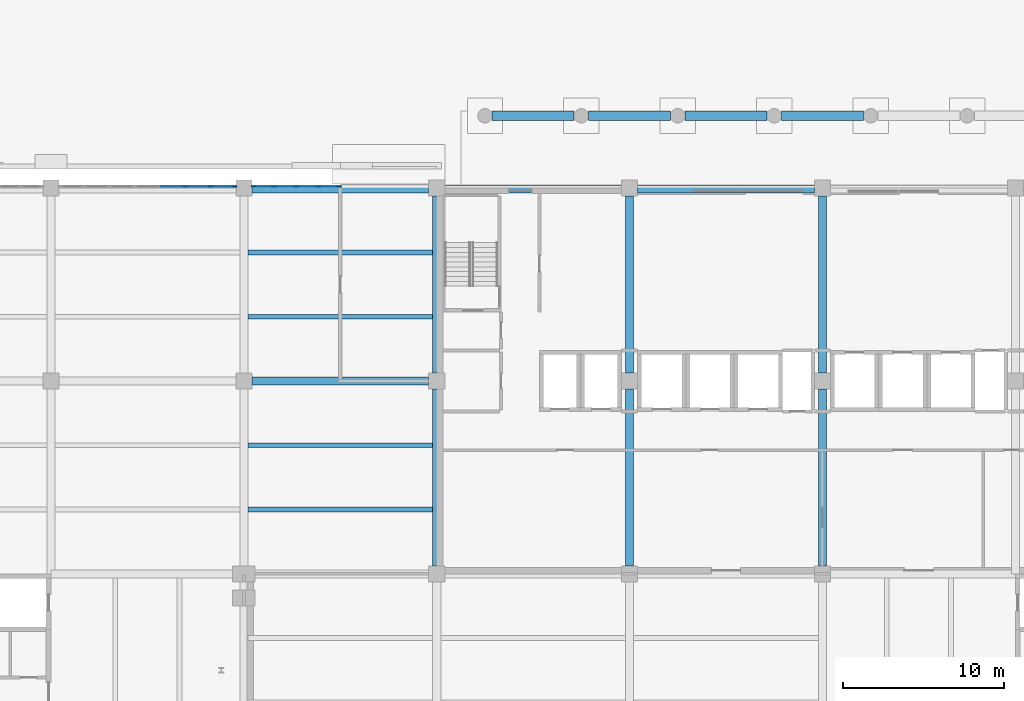
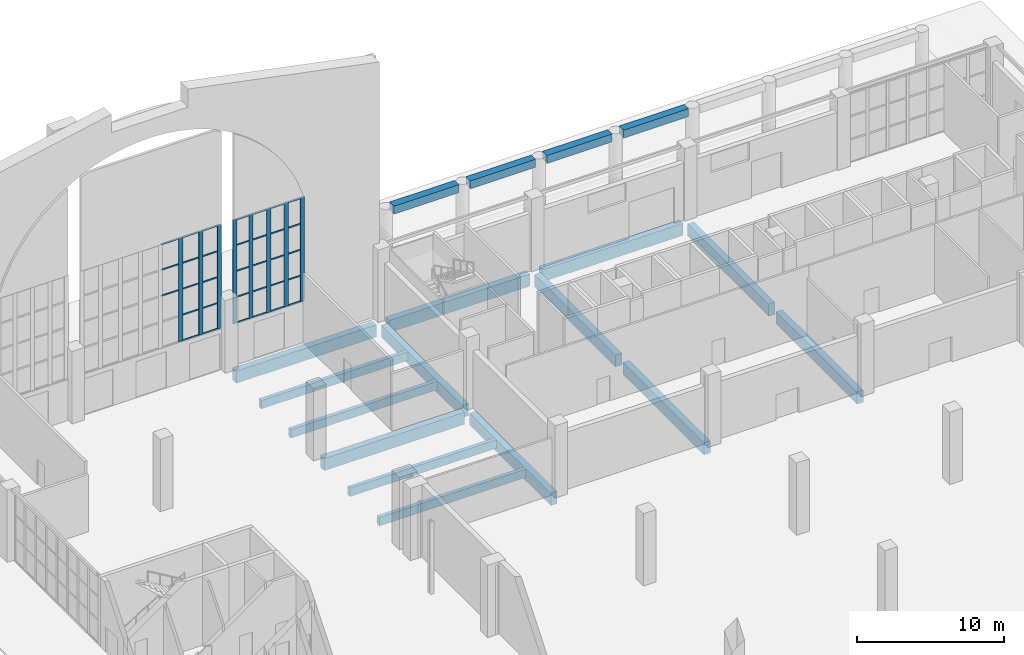
# One storey, part 22 of 59: 41 members, 18 beams, 2 elements without a shape of their own.
"""IFC4 building model written with IfcOpenShell, lengths in metres."""

import ifcopenshell
import ifcopenshell.guid

model = None  # the IFC model being written
_history = None  # IfcOwnerHistory: only IFC2X3 demands one
_inside = {}  # id of a spatial element -> (the spatial element, [elements in it])
_under = {}  # id of a project, library or spatial element -> (it, [spatial elements below it])
_declared = {}  # id of a project -> (the project, [libraries it declares])
_typed = {}  # id of a type object -> (the type object, [elements of that type])
_made_of = {}  # id of a material, layer set ... -> (it, [elements and type objects made of it])


def new_model(schema):
    """Start an empty IFC model of exactly this schema.

    Asked for "IFC4X3", IfcOpenShell would pick the latest addendum, in which some entities
    have other attributes; the version numbers below select the first issue.
    IFC2X3 requires an IfcOwnerHistory on every rooted entity: one is made here for all.
    """
    global model, _history
    if schema == "IFC4X3":
        model = ifcopenshell.file(schema_version=(4, 3, 0, 0))
    else:
        model = ifcopenshell.file(schema=schema)
    _inside.clear()
    _under.clear()
    _declared.clear()
    _typed.clear()
    _made_of.clear()
    _history = None
    if model.schema == "IFC2X3":
        org = make("IfcOrganization", Name="unknown")
        user = make(
            "IfcPersonAndOrganization",
            ThePerson=make("IfcPerson", FamilyName="unknown"),
            TheOrganization=org,
        )
        app = make(
            "IfcApplication",
            ApplicationDeveloper=org,
            Version="unknown",
            ApplicationFullName="unknown",
            ApplicationIdentifier="unknown",
        )
        _history = make(
            "IfcOwnerHistory",
            OwningUser=user,
            OwningApplication=app,
            ChangeAction="ADDED",
            CreationDate=0,
        )
    return model


def make(cls, **values):
    """One entity of the class cls with the attributes given. An attribute that is None is left unset."""
    return model.create_entity(
        cls, **{name: value for name, value in values.items() if value is not None}
    )


def rooted(cls, **values):
    """An entity with a GlobalId (a new one), such as an element, a storey or a relation."""
    return make(cls, GlobalId=ifcopenshell.guid.new(), OwnerHistory=_history, **values)


def si_unit(unit_type, name, prefix=None):
    """IfcSIUnit, for example si_unit("LENGTHUNIT", "METRE", prefix="MILLI")."""
    return make("IfcSIUnit", UnitType=unit_type, Prefix=prefix, Name=name)


def assignment(units):
    """IfcUnitAssignment: the units of a project."""
    return None if units is None else make("IfcUnitAssignment", Units=units)


def point(xyz):
    """IfcCartesianPoint."""
    return None if xyz is None else make("IfcCartesianPoint", Coordinates=xyz)


def direction(xyz):
    """IfcDirection."""
    return None if xyz is None else make("IfcDirection", DirectionRatios=xyz)


def frame(location, z_axis=None, x_axis=None):
    """IfcAxis2Placement3D, a coordinate frame: its origin and axes. An axis left out is left unset."""
    return make(
        "IfcAxis2Placement3D",
        Location=point(location),
        Axis=direction(z_axis),
        RefDirection=direction(x_axis),
    )


def frame_2d(location, x_axis=None):
    """IfcAxis2Placement2D, a coordinate frame in the plane: its origin and x axis."""
    return make(
        "IfcAxis2Placement2D", Location=point(location), RefDirection=direction(x_axis)
    )


def origin():
    """The frame at (0, 0, 0) with its axes left unset."""
    return frame((0.0, 0.0, 0.0))


def origin_2d():
    """The frame at (0, 0) in the plane with its x axis left unset."""
    return frame_2d((0.0, 0.0))


def place(relative_to, where):
    """IfcLocalPlacement: puts the frame where relative to a parent placement (None: the world)."""
    return make(
        "IfcLocalPlacement", PlacementRelTo=relative_to, RelativePlacement=where
    )


def context(
    kind, dimensions, precision=None, world=None, true_north=None, identifier=None
):
    """IfcGeometricRepresentationContext, for example the 3D "Model" context."""
    return make(
        "IfcGeometricRepresentationContext",
        ContextIdentifier=identifier,
        ContextType=kind,
        CoordinateSpaceDimension=dimensions,
        Precision=precision,
        WorldCoordinateSystem=world,
        TrueNorth=true_north,
    )


def subcontext(parent, identifier, kind, view, scale=None):
    """IfcGeometricRepresentationSubContext, for example "Body" below "Model"."""
    return make(
        "IfcGeometricRepresentationSubContext",
        ContextIdentifier=identifier,
        ContextType=kind,
        ParentContext=parent,
        TargetScale=scale,
        TargetView=view,
    )


def project(units=None, contexts=None):
    """IfcProject with its units and contexts."""
    return rooted(
        "IfcProject",
        Name="project",
        RepresentationContexts=contexts,
        UnitsInContext=assignment(units),
    )


def spatial(cls, under=None, at=None, **own):
    """A site, building, storey or space (cls), placed at a placement, below another one or the project."""
    s = rooted(cls, ObjectPlacement=at, **own)
    if under is not None:
        _under.setdefault(under.id(), (under, []))[1].append(s)
    return s


def profile(cls, at=None, kind="AREA", **sizes):
    """A parametric profile (cls). Its sizes go by their IFC names, for example OverallWidth=200.0."""
    return make(cls, ProfileType=kind, Position=at, **sizes)


def rectangle(**sizes):
    """IfcRectangleProfileDef."""
    return profile("IfcRectangleProfileDef", **sizes)


def extrude(swept, where, along, depth):
    """IfcExtrudedAreaSolid: the profile swept, set in the frame where, extruded along a direction by depth."""
    return make(
        "IfcExtrudedAreaSolid",
        SweptArea=swept,
        Position=where,
        ExtrudedDirection=direction(along),
        Depth=depth,
    )


def shape(context_of_items, identifier, shape_type, items):
    """IfcShapeRepresentation: the items that make up one representation, for example the "Body"."""
    return make(
        "IfcShapeRepresentation",
        ContextOfItems=context_of_items,
        RepresentationIdentifier=identifier,
        RepresentationType=shape_type,
        Items=items,
    )


def material(Name=None, Category=None):
    """IfcMaterial."""
    return make("IfcMaterial", Name=Name, Category=Category)


def layer(
    of_material, thickness, ventilated=None, Name=None, Category=None, Priority=None
):
    """IfcMaterialLayer: one layer of a wall or slab, of a material (None: an air gap)."""
    return make(
        "IfcMaterialLayer",
        Material=of_material,
        LayerThickness=thickness,
        IsVentilated=ventilated,
        Name=Name,
        Category=Category,
        Priority=Priority,
    )


def layer_set(layers, Name=None):
    """IfcMaterialLayerSet."""
    return make("IfcMaterialLayerSet", MaterialLayers=layers, LayerSetName=Name)


def material_profile(
    of_material, cross_section, Name=None, Category=None, Priority=None
):
    """IfcMaterialProfile: a cross section and its material."""
    return make(
        "IfcMaterialProfile",
        Name=Name,
        Material=of_material,
        Profile=cross_section,
        Priority=Priority,
        Category=Category,
    )


def profile_set(profiles, Name=None, composite=None):
    """IfcMaterialProfileSet."""
    return make(
        "IfcMaterialProfileSet",
        Name=Name,
        MaterialProfiles=profiles,
        CompositeProfile=composite,
    )


def made_of(thing, what):
    """Note that an element or type object is made of a material, layer set ...; save() writes the relation."""
    if what is not None:
        _made_of.setdefault(what.id(), (what, []))[1].append(thing)
    return thing


def type_object(cls, material=None, **own):
    """A type object (cls), such as IfcWallType, which elements share."""
    return made_of(rooted(cls, **own), material)


def element(
    cls,
    number,
    at=None,
    inside=None,
    cuts=None,
    type_object=None,
    material=None,
    context=None,
    identifier="Body",
    shape_type=None,
    held_by="IfcProductDefinitionShape",
    body=None,
    shapes=None,
    **own,
):
    """One element of the class cls, such as IfcWall. Its Tag is "e" and its number.

    at: its placement. inside: the storey or other place that contains it. cuts: it is an
    opening in that element (IfcRelVoidsElement). A single representation is given by context,
    identifier, shape_type and body (its items); several are given by shapes. held_by: the class
    of the entity that holds the representations. save() writes the other relations.
    """
    e = rooted(cls, Tag="e%d" % number, ObjectPlacement=at, **own)
    if body is not None:
        shapes = [shape(context, identifier, shape_type, body)]
    if shapes is not None:
        e.Representation = make(held_by, Representations=shapes)
    if inside is not None:
        _inside.setdefault(inside.id(), (inside, []))[1].append(e)
    if cuts is not None:
        rooted(
            "IfcRelVoidsElement", RelatingBuildingElement=cuts, RelatedOpeningElement=e
        )
    if type_object is not None:
        _typed.setdefault(type_object.id(), (type_object, []))[1].append(e)
    return made_of(e, material)


def aggregate(whole, parts):
    """IfcRelAggregates: a whole, such as a stair, and the parts it consists of."""
    return rooted("IfcRelAggregates", RelatingObject=whole, RelatedObjects=parts)


def save(model, path):
    """Write the relations noted so far, then the file.

    IfcRelAggregates (storeys below a building ...), IfcRelContainedInSpatialStructure (elements
    in a storey), IfcRelDefinesByType, IfcRelAssociatesMaterial and IfcRelDeclares: one each for
    every whole, place, type object, material and project.
    """
    for whole, parts in _under.values():
        aggregate(whole, parts)
    for where, things in _inside.values():
        rooted(
            "IfcRelContainedInSpatialStructure",
            RelatedElements=things,
            RelatingStructure=where,
        )
    for kind, things in _typed.values():
        rooted("IfcRelDefinesByType", RelatedObjects=things, RelatingType=kind)
    for what, things in _made_of.values():
        rooted("IfcRelAssociatesMaterial", RelatedObjects=things, RelatingMaterial=what)
    for by, libraries in _declared.values():
        rooted("IfcRelDeclares", RelatingContext=by, RelatedDefinitions=libraries)
    model.write(path)


model = new_model("IFC4")

# Units and contexts
model_context = context("Model", 3, precision=1e-05, world=origin(), true_north=direction((0.0, 1.0)))
body_context = subcontext(model_context, "Body", "Model", "MODEL_VIEW")
ifc_project = project(units=[si_unit("LENGTHUNIT", "METRE"), si_unit("AREAUNIT", "SQUARE_METRE"), si_unit("VOLUMEUNIT", "CUBIC_METRE"), si_unit("PLANEANGLEUNIT", "RADIAN"), si_unit("MASSUNIT", "GRAM", prefix="KILO")], contexts=[model_context])

# Site, building, storey
site_placement = place(None, origin())
site = spatial("IfcSite", under=ifc_project, at=site_placement, CompositionType="ELEMENT")
building_placement = place(site_placement, origin())
building = spatial("IfcBuilding", under=site, at=building_placement, Name="Lilac Gate Convention Centre", CompositionType="ELEMENT")
storey_placement = place(building_placement, origin())
storey = spatial("IfcBuildingStorey", under=building, at=storey_placement, Name="L00", CompositionType="ELEMENT", Elevation=0.0)

# Curtain wall, members
ifc_material_1 = material(Name="Aluminium framed double glazing", Category="aluminium")
ifc_layer = layer(ifc_material_1, 0.199951171875)
ifc_layer_set = layer_set([ifc_layer], Name="Aluminium framed double glazing")
curtain_wall_type = type_object("IfcCurtainWallType", Name="Unitised curtain wall 1500", PredefinedType="NOTDEFINED", material=ifc_layer_set)
curtain_wall_1_placement = place(storey_placement, origin())
curtain_wall_1 = element("IfcCurtainWall", 1, at=curtain_wall_1_placement, inside=storey, type_object=curtain_wall_type, Name="Entrance screen curtain wall 2", PredefinedType="NOTDEFINED")
ifc_material_2 = material(Name="Aluminium alloy 6063", Category="aluminium")
ifc_material_profile_1 = material_profile(ifc_material_2, rectangle(XDim=0.080078125, YDim=0.320068359375, at=origin_2d()), Name="Curtain wall mullion 80 x 320")
ifc_profile_set_1 = profile_set([ifc_material_profile_1], Name="Aluminium alloy 6063")
member_type_1 = type_object("IfcMemberType", Name="Curtain wall mullion 80 x 320", PredefinedType="MULLION", material=ifc_profile_set_1)
member_1_placement = place(storey_placement, frame((26.357177734375, 246.10009765625, 3.39990234375), z_axis=(0.0, 0.0, 1.0), x_axis=(0.0, 1.0, 0.0)))
member_1 = element("IfcMember", 2, at=member_1_placement, type_object=member_type_1, Name="CW mullion 6", PredefinedType="MULLION", context=body_context, shape_type="SweptSolid", body=[
    extrude(rectangle(XDim=0.080078125, YDim=0.320068359375, at=origin_2d()), origin(), (0.0, 0.0, 1.0), 8.60009765625),
])
member_2_placement = place(storey_placement, frame((27.928466796875, 246.10009765625, 3.39990234375), z_axis=(0.0, 0.0, 1.0), x_axis=(0.0, 1.0, 0.0)))
member_2 = element("IfcMember", 3, at=member_2_placement, type_object=member_type_1, Name="CW mullion 7", PredefinedType="MULLION", context=body_context, shape_type="SweptSolid", body=[
    extrude(rectangle(XDim=0.080078125, YDim=0.320068359375, at=origin_2d()), origin(), (0.0, 0.0, 1.0), 8.60009765625),
])
member_3_placement = place(storey_placement, frame((29.389892578125, 246.10009765625, 3.39990234375), z_axis=(0.0, 0.0, 1.0), x_axis=(0.0, 1.0, 0.0)))
member_3 = element("IfcMember", 4, at=member_3_placement, type_object=member_type_1, Name="CW mullion 8", PredefinedType="MULLION", context=body_context, shape_type="SweptSolid", body=[
    extrude(rectangle(XDim=0.080078125, YDim=0.320068359375, at=origin_2d()), origin(), (0.0, 0.0, 1.0), 8.60009765625),
])

curtain_wall_2_placement = place(storey_placement, origin())
curtain_wall_2 = element("IfcCurtainWall", 5, at=curtain_wall_2_placement, inside=storey, type_object=curtain_wall_type, Name="Entrance screen curtain wall 3", PredefinedType="NOTDEFINED")
member_4_placement = place(storey_placement, frame((30.610107421875, 246.10009765625, 3.39990234375), z_axis=(0.0, 0.0, 1.0), x_axis=(0.0, 1.0, 0.0)))
member_4 = element("IfcMember", 6, at=member_4_placement, type_object=member_type_1, Name="CW mullion 1", PredefinedType="MULLION", context=body_context, shape_type="SweptSolid", body=[
    extrude(rectangle(XDim=0.080078125, YDim=0.320068359375, at=origin_2d()), origin(), (0.0, 0.0, 1.0), 8.60009765625),
])
member_5_placement = place(storey_placement, frame((31.875, 246.10009765625, 3.39990234375), z_axis=(0.0, 0.0, 1.0), x_axis=(0.0, 1.0, 0.0)))
member_5 = element("IfcMember", 7, at=member_5_placement, type_object=member_type_1, Name="CW mullion 2", PredefinedType="MULLION", context=body_context, shape_type="SweptSolid", body=[
    extrude(rectangle(XDim=0.080078125, YDim=0.320068359375, at=origin_2d()), origin(), (0.0, 0.0, 1.0), 8.60009765625),
])
member_6_placement = place(storey_placement, frame((33.25, 246.10009765625, 3.39990234375), z_axis=(0.0, 0.0, 1.0), x_axis=(0.0, 1.0, 0.0)))
member_6 = element("IfcMember", 8, at=member_6_placement, type_object=member_type_1, Name="CW mullion 3", PredefinedType="MULLION", context=body_context, shape_type="SweptSolid", body=[
    extrude(rectangle(XDim=0.080078125, YDim=0.320068359375, at=origin_2d()), origin(), (0.0, 0.0, 1.0), 8.60009765625),
])
member_7_placement = place(storey_placement, frame((34.625, 246.10009765625, 3.39990234375), z_axis=(0.0, 0.0, 1.0), x_axis=(0.0, 1.0, 0.0)))
member_7 = element("IfcMember", 9, at=member_7_placement, type_object=member_type_1, Name="CW mullion 4", PredefinedType="MULLION", context=body_context, shape_type="SweptSolid", body=[
    extrude(rectangle(XDim=0.080078125, YDim=0.320068359375, at=origin_2d()), origin(), (0.0, 0.0, 1.0), 8.60009765625),
])
member_8_placement = place(storey_placement, frame((35.889892578125, 246.10009765625, 3.39990234375), z_axis=(0.0, 0.0, 1.0), x_axis=(0.0, 1.0, 0.0)))
member_8 = element("IfcMember", 10, at=member_8_placement, type_object=member_type_1, Name="CW mullion 5", PredefinedType="MULLION", context=body_context, shape_type="SweptSolid", body=[
    extrude(rectangle(XDim=0.080078125, YDim=0.320068359375, at=origin_2d()), origin(), (0.0, 0.0, 1.0), 8.60009765625),
])

# Member
ifc_material_profile_2 = material_profile(ifc_material_2, rectangle(XDim=0.06005859375, YDim=0.1201171875, at=origin_2d()), Name="Curtain wall transom 60 x 120")
ifc_profile_set_2 = profile_set([ifc_material_profile_2], Name="Aluminium alloy 6063")
member_type_2 = type_object("IfcMemberType", Name="Curtain wall transom 60 x 120", PredefinedType="USERDEFINED", material=ifc_profile_set_2)
member_9_placement = place(storey_placement, frame((24.815673828125, 246.10009765625, 7.699951171875), z_axis=(1.0, 0.0, 0.0), x_axis=(0.0, 1.0, 0.0)))
member_9 = element("IfcMember", 11, at=member_9_placement, type_object=member_type_2, Name="CW transom 5.3", ObjectType="TRANSOM", PredefinedType="USERDEFINED", context=body_context, shape_type="SweptSolid", body=[
    extrude(rectangle(XDim=0.06005859375, YDim=0.1201171875, at=origin_2d()), origin(), (0.0, 0.0, 1.0), 1.511474609375),
])

member_10_placement = place(storey_placement, frame((24.815673828125, 246.10009765625, 9.85009765625), z_axis=(1.0, 0.0, 0.0), x_axis=(0.0, 1.0, 0.0)))
member_10 = element("IfcMember", 12, at=member_10_placement, type_object=member_type_2, Name="CW transom 5.4", ObjectType="TRANSOM", PredefinedType="USERDEFINED", context=body_context, shape_type="SweptSolid", body=[
    extrude(rectangle(XDim=0.06005859375, YDim=0.1201171875, at=origin_2d()), origin(), (0.0, 0.0, 1.0), 1.511474609375),
])

member_11_placement = place(storey_placement, frame((24.815673828125, 246.10009765625, 11.969970703125), z_axis=(1.0, 0.0, 0.0), x_axis=(0.0, 1.0, 0.0)))
member_11 = element("IfcMember", 13, at=member_11_placement, type_object=member_type_2, Name="CW transom 5.5", ObjectType="TRANSOM", PredefinedType="USERDEFINED", context=body_context, shape_type="SweptSolid", body=[
    extrude(rectangle(XDim=0.06005859375, YDim=0.1201171875, at=origin_2d()), origin(), (0.0, 0.0, 1.0), 1.511474609375),
])

member_12_placement = place(storey_placement, frame((26.38720703125, 246.10009765625, 3.429931640625), z_axis=(1.0, 0.0, 0.0), x_axis=(0.0, 1.0, 0.0)))
member_12 = element("IfcMember", 14, at=member_12_placement, type_object=member_type_2, Name="CW transom 6.1", ObjectType="TRANSOM", PredefinedType="USERDEFINED", context=body_context, shape_type="SweptSolid", body=[
    extrude(rectangle(XDim=0.06005859375, YDim=0.1201171875, at=origin_2d()), origin(), (0.0, 0.0, 1.0), 1.511474609375),
])

member_13_placement = place(storey_placement, frame((26.38720703125, 246.10009765625, 5.550048828125), z_axis=(1.0, 0.0, 0.0), x_axis=(0.0, 1.0, 0.0)))
member_13 = element("IfcMember", 15, at=member_13_placement, type_object=member_type_2, Name="CW transom 6.2", ObjectType="TRANSOM", PredefinedType="USERDEFINED", context=body_context, shape_type="SweptSolid", body=[
    extrude(rectangle(XDim=0.06005859375, YDim=0.1201171875, at=origin_2d()), origin(), (0.0, 0.0, 1.0), 1.511474609375),
])

member_14_placement = place(storey_placement, frame((26.38720703125, 246.10009765625, 7.699951171875), z_axis=(1.0, 0.0, 0.0), x_axis=(0.0, 1.0, 0.0)))
member_14 = element("IfcMember", 16, at=member_14_placement, type_object=member_type_2, Name="CW transom 6.3", ObjectType="TRANSOM", PredefinedType="USERDEFINED", context=body_context, shape_type="SweptSolid", body=[
    extrude(rectangle(XDim=0.06005859375, YDim=0.1201171875, at=origin_2d()), origin(), (0.0, 0.0, 1.0), 1.511474609375),
])

member_15_placement = place(storey_placement, frame((26.38720703125, 246.10009765625, 9.85009765625), z_axis=(1.0, 0.0, 0.0), x_axis=(0.0, 1.0, 0.0)))
member_15 = element("IfcMember", 17, at=member_15_placement, type_object=member_type_2, Name="CW transom 6.4", ObjectType="TRANSOM", PredefinedType="USERDEFINED", context=body_context, shape_type="SweptSolid", body=[
    extrude(rectangle(XDim=0.06005859375, YDim=0.1201171875, at=origin_2d()), origin(), (0.0, 0.0, 1.0), 1.511474609375),
])

member_16_placement = place(storey_placement, frame((26.38720703125, 246.10009765625, 11.969970703125), z_axis=(1.0, 0.0, 0.0), x_axis=(0.0, 1.0, 0.0)))
member_16 = element("IfcMember", 18, at=member_16_placement, type_object=member_type_2, Name="CW transom 6.5", ObjectType="TRANSOM", PredefinedType="USERDEFINED", context=body_context, shape_type="SweptSolid", body=[
    extrude(rectangle(XDim=0.06005859375, YDim=0.1201171875, at=origin_2d()), origin(), (0.0, 0.0, 1.0), 1.511474609375),
])

member_17_placement = place(storey_placement, frame((27.95849609375, 246.10009765625, 3.429931640625), z_axis=(1.0, 0.0, 0.0), x_axis=(0.0, 1.0, 0.0)))
member_17 = element("IfcMember", 19, at=member_17_placement, type_object=member_type_2, Name="CW transom 7.1", ObjectType="TRANSOM", PredefinedType="USERDEFINED", context=body_context, shape_type="SweptSolid", body=[
    extrude(rectangle(XDim=0.06005859375, YDim=0.1201171875, at=origin_2d()), origin(), (0.0, 0.0, 1.0), 1.4814453125),
])

member_18_placement = place(storey_placement, frame((27.95849609375, 246.10009765625, 5.550048828125), z_axis=(1.0, 0.0, 0.0), x_axis=(0.0, 1.0, 0.0)))
member_18 = element("IfcMember", 20, at=member_18_placement, type_object=member_type_2, Name="CW transom 7.2", ObjectType="TRANSOM", PredefinedType="USERDEFINED", context=body_context, shape_type="SweptSolid", body=[
    extrude(rectangle(XDim=0.06005859375, YDim=0.1201171875, at=origin_2d()), origin(), (0.0, 0.0, 1.0), 1.4814453125),
])

member_19_placement = place(storey_placement, frame((27.95849609375, 246.10009765625, 7.699951171875), z_axis=(1.0, 0.0, 0.0), x_axis=(0.0, 1.0, 0.0)))
member_19 = element("IfcMember", 21, at=member_19_placement, type_object=member_type_2, Name="CW transom 7.3", ObjectType="TRANSOM", PredefinedType="USERDEFINED", context=body_context, shape_type="SweptSolid", body=[
    extrude(rectangle(XDim=0.06005859375, YDim=0.1201171875, at=origin_2d()), origin(), (0.0, 0.0, 1.0), 1.4814453125),
])

member_20_placement = place(storey_placement, frame((27.95849609375, 246.10009765625, 9.85009765625), z_axis=(1.0, 0.0, 0.0), x_axis=(0.0, 1.0, 0.0)))
member_20 = element("IfcMember", 22, at=member_20_placement, type_object=member_type_2, Name="CW transom 7.4", ObjectType="TRANSOM", PredefinedType="USERDEFINED", context=body_context, shape_type="SweptSolid", body=[
    extrude(rectangle(XDim=0.06005859375, YDim=0.1201171875, at=origin_2d()), origin(), (0.0, 0.0, 1.0), 1.4814453125),
])

member_21_placement = place(storey_placement, frame((27.95849609375, 246.10009765625, 11.969970703125), z_axis=(1.0, 0.0, 0.0), x_axis=(0.0, 1.0, 0.0)))
member_21 = element("IfcMember", 23, at=member_21_placement, type_object=member_type_2, Name="CW transom 7.5", ObjectType="TRANSOM", PredefinedType="USERDEFINED", context=body_context, shape_type="SweptSolid", body=[
    extrude(rectangle(XDim=0.06005859375, YDim=0.1201171875, at=origin_2d()), origin(), (0.0, 0.0, 1.0), 1.4814453125),
])

aggregate(curtain_wall_1, [member_1, member_2, member_3, member_9, member_10, member_11, member_12, member_13, member_14, member_15, member_16, member_17, member_18, member_19, member_20, member_21])

member_22_placement = place(storey_placement, frame((30.56005859375, 246.10009765625, 3.429931640625), z_axis=(1.0, 0.0, 0.0), x_axis=(0.0, 1.0, 0.0)))
member_22 = element("IfcMember", 24, at=member_22_placement, type_object=member_type_2, Name="CW transom 1.1", ObjectType="TRANSOM", PredefinedType="USERDEFINED", context=body_context, shape_type="SweptSolid", body=[
    extrude(rectangle(XDim=0.06005859375, YDim=0.1201171875, at=origin_2d()), origin(), (0.0, 0.0, 1.0), 1.284912109375),
])

member_23_placement = place(storey_placement, frame((30.56005859375, 246.10009765625, 5.550048828125), z_axis=(1.0, 0.0, 0.0), x_axis=(0.0, 1.0, 0.0)))
member_23 = element("IfcMember", 25, at=member_23_placement, type_object=member_type_2, Name="CW transom 1.2", ObjectType="TRANSOM", PredefinedType="USERDEFINED", context=body_context, shape_type="SweptSolid", body=[
    extrude(rectangle(XDim=0.06005859375, YDim=0.1201171875, at=origin_2d()), origin(), (0.0, 0.0, 1.0), 1.284912109375),
])

member_24_placement = place(storey_placement, frame((30.56005859375, 246.10009765625, 7.699951171875), z_axis=(1.0, 0.0, 0.0), x_axis=(0.0, 1.0, 0.0)))
member_24 = element("IfcMember", 26, at=member_24_placement, type_object=member_type_2, Name="CW transom 1.3", ObjectType="TRANSOM", PredefinedType="USERDEFINED", context=body_context, shape_type="SweptSolid", body=[
    extrude(rectangle(XDim=0.06005859375, YDim=0.1201171875, at=origin_2d()), origin(), (0.0, 0.0, 1.0), 1.284912109375),
])

member_25_placement = place(storey_placement, frame((30.56005859375, 246.10009765625, 9.85009765625), z_axis=(1.0, 0.0, 0.0), x_axis=(0.0, 1.0, 0.0)))
member_25 = element("IfcMember", 27, at=member_25_placement, type_object=member_type_2, Name="CW transom 1.4", ObjectType="TRANSOM", PredefinedType="USERDEFINED", context=body_context, shape_type="SweptSolid", body=[
    extrude(rectangle(XDim=0.06005859375, YDim=0.1201171875, at=origin_2d()), origin(), (0.0, 0.0, 1.0), 1.284912109375),
])

member_26_placement = place(storey_placement, frame((30.56005859375, 246.10009765625, 11.969970703125), z_axis=(1.0, 0.0, 0.0), x_axis=(0.0, 1.0, 0.0)))
member_26 = element("IfcMember", 28, at=member_26_placement, type_object=member_type_2, Name="CW transom 1.5", ObjectType="TRANSOM", PredefinedType="USERDEFINED", context=body_context, shape_type="SweptSolid", body=[
    extrude(rectangle(XDim=0.06005859375, YDim=0.1201171875, at=origin_2d()), origin(), (0.0, 0.0, 1.0), 1.284912109375),
])

member_27_placement = place(storey_placement, frame((31.905029296875, 246.10009765625, 3.429931640625), z_axis=(1.0, 0.0, 0.0), x_axis=(0.0, 1.0, 0.0)))
member_27 = element("IfcMember", 29, at=member_27_placement, type_object=member_type_2, Name="CW transom 2.1", ObjectType="TRANSOM", PredefinedType="USERDEFINED", context=body_context, shape_type="SweptSolid", body=[
    extrude(rectangle(XDim=0.06005859375, YDim=0.1201171875, at=origin_2d()), origin(), (0.0, 0.0, 1.0), 1.31494140625),
])

member_28_placement = place(storey_placement, frame((31.905029296875, 246.10009765625, 5.550048828125), z_axis=(1.0, 0.0, 0.0), x_axis=(0.0, 1.0, 0.0)))
member_28 = element("IfcMember", 30, at=member_28_placement, type_object=member_type_2, Name="CW transom 2.2", ObjectType="TRANSOM", PredefinedType="USERDEFINED", context=body_context, shape_type="SweptSolid", body=[
    extrude(rectangle(XDim=0.06005859375, YDim=0.1201171875, at=origin_2d()), origin(), (0.0, 0.0, 1.0), 1.31494140625),
])

member_29_placement = place(storey_placement, frame((31.905029296875, 246.10009765625, 7.699951171875), z_axis=(1.0, 0.0, 0.0), x_axis=(0.0, 1.0, 0.0)))
member_29 = element("IfcMember", 31, at=member_29_placement, type_object=member_type_2, Name="CW transom 2.3", ObjectType="TRANSOM", PredefinedType="USERDEFINED", context=body_context, shape_type="SweptSolid", body=[
    extrude(rectangle(XDim=0.06005859375, YDim=0.1201171875, at=origin_2d()), origin(), (0.0, 0.0, 1.0), 1.31494140625),
])

member_30_placement = place(storey_placement, frame((31.905029296875, 246.10009765625, 9.85009765625), z_axis=(1.0, 0.0, 0.0), x_axis=(0.0, 1.0, 0.0)))
member_30 = element("IfcMember", 32, at=member_30_placement, type_object=member_type_2, Name="CW transom 2.4", ObjectType="TRANSOM", PredefinedType="USERDEFINED", context=body_context, shape_type="SweptSolid", body=[
    extrude(rectangle(XDim=0.06005859375, YDim=0.1201171875, at=origin_2d()), origin(), (0.0, 0.0, 1.0), 1.31494140625),
])

member_31_placement = place(storey_placement, frame((31.905029296875, 246.10009765625, 11.969970703125), z_axis=(1.0, 0.0, 0.0), x_axis=(0.0, 1.0, 0.0)))
member_31 = element("IfcMember", 33, at=member_31_placement, type_object=member_type_2, Name="CW transom 2.5", ObjectType="TRANSOM", PredefinedType="USERDEFINED", context=body_context, shape_type="SweptSolid", body=[
    extrude(rectangle(XDim=0.06005859375, YDim=0.1201171875, at=origin_2d()), origin(), (0.0, 0.0, 1.0), 1.31494140625),
])

member_32_placement = place(storey_placement, frame((33.280029296875, 246.10009765625, 3.429931640625), z_axis=(1.0, 0.0, 0.0), x_axis=(0.0, 1.0, 0.0)))
member_32 = element("IfcMember", 34, at=member_32_placement, type_object=member_type_2, Name="CW transom 3.1", ObjectType="TRANSOM", PredefinedType="USERDEFINED", context=body_context, shape_type="SweptSolid", body=[
    extrude(rectangle(XDim=0.06005859375, YDim=0.1201171875, at=origin_2d()), origin(), (0.0, 0.0, 1.0), 1.31494140625),
])

member_33_placement = place(storey_placement, frame((33.280029296875, 246.10009765625, 5.550048828125), z_axis=(1.0, 0.0, 0.0), x_axis=(0.0, 1.0, 0.0)))
member_33 = element("IfcMember", 35, at=member_33_placement, type_object=member_type_2, Name="CW transom 3.2", ObjectType="TRANSOM", PredefinedType="USERDEFINED", context=body_context, shape_type="SweptSolid", body=[
    extrude(rectangle(XDim=0.06005859375, YDim=0.1201171875, at=origin_2d()), origin(), (0.0, 0.0, 1.0), 1.31494140625),
])

member_34_placement = place(storey_placement, frame((33.280029296875, 246.10009765625, 7.699951171875), z_axis=(1.0, 0.0, 0.0), x_axis=(0.0, 1.0, 0.0)))
member_34 = element("IfcMember", 36, at=member_34_placement, type_object=member_type_2, Name="CW transom 3.3", ObjectType="TRANSOM", PredefinedType="USERDEFINED", context=body_context, shape_type="SweptSolid", body=[
    extrude(rectangle(XDim=0.06005859375, YDim=0.1201171875, at=origin_2d()), origin(), (0.0, 0.0, 1.0), 1.31494140625),
])

member_35_placement = place(storey_placement, frame((33.280029296875, 246.10009765625, 9.85009765625), z_axis=(1.0, 0.0, 0.0), x_axis=(0.0, 1.0, 0.0)))
member_35 = element("IfcMember", 37, at=member_35_placement, type_object=member_type_2, Name="CW transom 3.4", ObjectType="TRANSOM", PredefinedType="USERDEFINED", context=body_context, shape_type="SweptSolid", body=[
    extrude(rectangle(XDim=0.06005859375, YDim=0.1201171875, at=origin_2d()), origin(), (0.0, 0.0, 1.0), 1.31494140625),
])

member_36_placement = place(storey_placement, frame((33.280029296875, 246.10009765625, 11.969970703125), z_axis=(1.0, 0.0, 0.0), x_axis=(0.0, 1.0, 0.0)))
member_36 = element("IfcMember", 38, at=member_36_placement, type_object=member_type_2, Name="CW transom 3.5", ObjectType="TRANSOM", PredefinedType="USERDEFINED", context=body_context, shape_type="SweptSolid", body=[
    extrude(rectangle(XDim=0.06005859375, YDim=0.1201171875, at=origin_2d()), origin(), (0.0, 0.0, 1.0), 1.31494140625),
])

member_37_placement = place(storey_placement, frame((34.655029296875, 246.10009765625, 3.429931640625), z_axis=(1.0, 0.0, 0.0), x_axis=(0.0, 1.0, 0.0)))
member_37 = element("IfcMember", 39, at=member_37_placement, type_object=member_type_2, Name="CW transom 4.1", ObjectType="TRANSOM", PredefinedType="USERDEFINED", context=body_context, shape_type="SweptSolid", body=[
    extrude(rectangle(XDim=0.06005859375, YDim=0.1201171875, at=origin_2d()), origin(), (0.0, 0.0, 1.0), 1.284912109375),
])

member_38_placement = place(storey_placement, frame((34.655029296875, 246.10009765625, 5.550048828125), z_axis=(1.0, 0.0, 0.0), x_axis=(0.0, 1.0, 0.0)))
member_38 = element("IfcMember", 40, at=member_38_placement, type_object=member_type_2, Name="CW transom 4.2", ObjectType="TRANSOM", PredefinedType="USERDEFINED", context=body_context, shape_type="SweptSolid", body=[
    extrude(rectangle(XDim=0.06005859375, YDim=0.1201171875, at=origin_2d()), origin(), (0.0, 0.0, 1.0), 1.284912109375),
])

member_39_placement = place(storey_placement, frame((34.655029296875, 246.10009765625, 7.699951171875), z_axis=(1.0, 0.0, 0.0), x_axis=(0.0, 1.0, 0.0)))
member_39 = element("IfcMember", 41, at=member_39_placement, type_object=member_type_2, Name="CW transom 4.3", ObjectType="TRANSOM", PredefinedType="USERDEFINED", context=body_context, shape_type="SweptSolid", body=[
    extrude(rectangle(XDim=0.06005859375, YDim=0.1201171875, at=origin_2d()), origin(), (0.0, 0.0, 1.0), 1.284912109375),
])

member_40_placement = place(storey_placement, frame((34.655029296875, 246.10009765625, 9.85009765625), z_axis=(1.0, 0.0, 0.0), x_axis=(0.0, 1.0, 0.0)))
member_40 = element("IfcMember", 42, at=member_40_placement, type_object=member_type_2, Name="CW transom 4.4", ObjectType="TRANSOM", PredefinedType="USERDEFINED", context=body_context, shape_type="SweptSolid", body=[
    extrude(rectangle(XDim=0.06005859375, YDim=0.1201171875, at=origin_2d()), origin(), (0.0, 0.0, 1.0), 1.284912109375),
])

member_41_placement = place(storey_placement, frame((34.655029296875, 246.10009765625, 11.969970703125), z_axis=(1.0, 0.0, 0.0), x_axis=(0.0, 1.0, 0.0)))
member_41 = element("IfcMember", 43, at=member_41_placement, type_object=member_type_2, Name="CW transom 4.5", ObjectType="TRANSOM", PredefinedType="USERDEFINED", context=body_context, shape_type="SweptSolid", body=[
    extrude(rectangle(XDim=0.06005859375, YDim=0.1201171875, at=origin_2d()), origin(), (0.0, 0.0, 1.0), 1.284912109375),
])

aggregate(curtain_wall_2, [member_4, member_5, member_6, member_7, member_8, member_22, member_23, member_24, member_25, member_26, member_27, member_28, member_29, member_30, member_31, member_32, member_33, member_34, member_35, member_36, member_37, member_38, member_39, member_40, member_41])

# Beams
ifc_material_3 = material(Name="Concrete C40", Category="concrete")
ifc_material_profile_3 = material_profile(ifc_material_3, rectangle(XDim=0.60009765625, YDim=0.64990234375, at=origin_2d()), Name="Entablature beam 600 x 650")
ifc_profile_set_3 = profile_set([ifc_material_profile_3], Name="Concrete C40")
beam_type_1 = type_object("IfcBeamType", Name="Entablature beam 600 x 650", PredefinedType="BEAM", material=ifc_profile_set_3)
for number, where, z_axis, x_axis, name in (
    (44, (45.449951171875, 250.5, 5.074951171875), (1.0, 0.0, 0.0), (0.0, 1.0, 0.0), "Entablature beam 1"),
    (45, (51.449951171875, 250.5, 5.074951171875), (1.0, 0.0, 0.0), (0.0, 1.0, 0.0), "Entablature beam 2"),
    (46, (57.449951171875, 250.5, 5.074951171875), (1.0, 0.0, 0.0), (0.0, 1.0, 0.0), "Entablature beam 3"),
    (47, (63.449951171875, 250.5, 5.074951171875), (1.0, 0.0, 0.0), (0.0, 1.0, 0.0), "Entablature beam 4"),
):
    element("IfcBeam", number, at=place(storey_placement, frame(where, z_axis=z_axis, x_axis=x_axis)), inside=storey, type_object=beam_type_1, Name=name, PredefinedType="BEAM", context=body_context, shape_type="SweptSolid", body=[
        extrude(rectangle(XDim=0.60009765625, YDim=0.64990234375, at=origin_2d()), origin(), (0.0, 0.0, 1.0), 5.10009765625),
    ])
ifc_material_profile_4 = material_profile(ifc_material_3, rectangle(XDim=0.5, YDim=1.0, at=origin_2d()), Name="RC 500x1000")
ifc_profile_set_4 = profile_set([ifc_material_profile_4], Name="Concrete C40")
beam_type_2 = type_object("IfcBeamType", Name="Primary beam 500x1000 C40", PredefinedType="BEAM", material=ifc_profile_set_4)
for number, where, z_axis, x_axis, name in (
    (48, (30.5, 234.0, -0.800048828125), (1.0, 0.0, 0.0), (0.0, 1.0, 0.0), "RB1 L00 3/T-4/T"),
    (49, (30.5, 245.949951171875, -0.800048828125), (1.0, 0.0, 0.0), (0.0, 1.0, 0.0), "RB1 L00 3/U-4/U"),
    (50, (42.5, 245.949951171875, -0.800048828125), (1.0, 0.0, 0.0), (0.0, 1.0, 0.0), "RB1 L00 4/U-5/U"),
    (51, (54.5, 245.949951171875, -0.800048828125), (1.0, 0.0, 0.0), (0.0, 1.0, 0.0), "RB1 L00 5/U-6/U"),
    (52, (42.0, 222.5, -0.800048828125), (0.0, 1.0, 0.0), (-1.0, 0.0, 0.0), "RB1 L00 4/S-4/T"),
    (53, (42.0, 234.5, -0.800048828125), (0.0, 1.0, 0.0), (-1.0, 0.0, 0.0), "RB1 L00 4/T-4/U"),
    (54, (54.0, 222.5, -0.800048828125), (0.0, 1.0, 0.0), (-1.0, 0.0, 0.0), "RB1 L00 5/S-5/T"),
    (55, (54.0, 234.5, -0.800048828125), (0.0, 1.0, 0.0), (-1.0, 0.0, 0.0), "RB1 L00 5/T-5/U"),
    (56, (66.0, 222.5, -0.800048828125), (0.0, 1.0, 0.0), (-1.0, 0.0, 0.0), "RB1 L00 6/S-6/T"),
    (57, (66.0, 234.5, -0.800048828125), (0.0, 1.0, 0.0), (-1.0, 0.0, 0.0), "RB1 L00 6/T-6/U"),
):
    element("IfcBeam", number, at=place(storey_placement, frame(where, z_axis=z_axis, x_axis=x_axis)), inside=storey, type_object=beam_type_2, Name=name, PredefinedType="BEAM", context=body_context, shape_type="SweptSolid", body=[
        extrude(rectangle(XDim=0.5, YDim=1.0, at=origin_2d()), origin(), (0.0, 0.0, 1.0), 11.0),
    ])
ifc_material_profile_5 = material_profile(ifc_material_3, rectangle(XDim=0.300048828125, YDim=0.699951171875, at=origin_2d()), Name="RC 300x700")
ifc_profile_set_5 = profile_set([ifc_material_profile_5], Name="Concrete C40")
beam_type_3 = type_object("IfcBeamType", Name="Secondary beam 300x700 C40", PredefinedType="BEAM", material=ifc_profile_set_5)
for number, where, z_axis, x_axis, name in (
    (58, (30.25, 226.0, -0.64990234375), (1.0, 0.0, 0.0), (0.0, 1.0, 0.0), "RB2 L00 bay 3/S"),
    (59, (30.25, 230.0, -0.64990234375), (1.0, 0.0, 0.0), (0.0, 1.0, 0.0), "RB2 L00 bay 3/S"),
    (60, (30.25, 238.0, -0.64990234375), (1.0, 0.0, 0.0), (0.0, 1.0, 0.0), "RB2 L00 bay 3/T"),
    (61, (30.25, 242.0, -0.64990234375), (1.0, 0.0, 0.0), (0.0, 1.0, 0.0), "RB2 L00 bay 3/T"),
):
    element("IfcBeam", number, at=place(storey_placement, frame(where, z_axis=z_axis, x_axis=x_axis)), inside=storey, type_object=beam_type_3, Name=name, PredefinedType="BEAM", context=body_context, shape_type="SweptSolid", body=[
        extrude(rectangle(XDim=0.300048828125, YDim=0.699951171875, at=origin_2d()), origin(), (0.0, 0.0, 1.0), 11.5),
    ])

save(model, "model.ifc")
